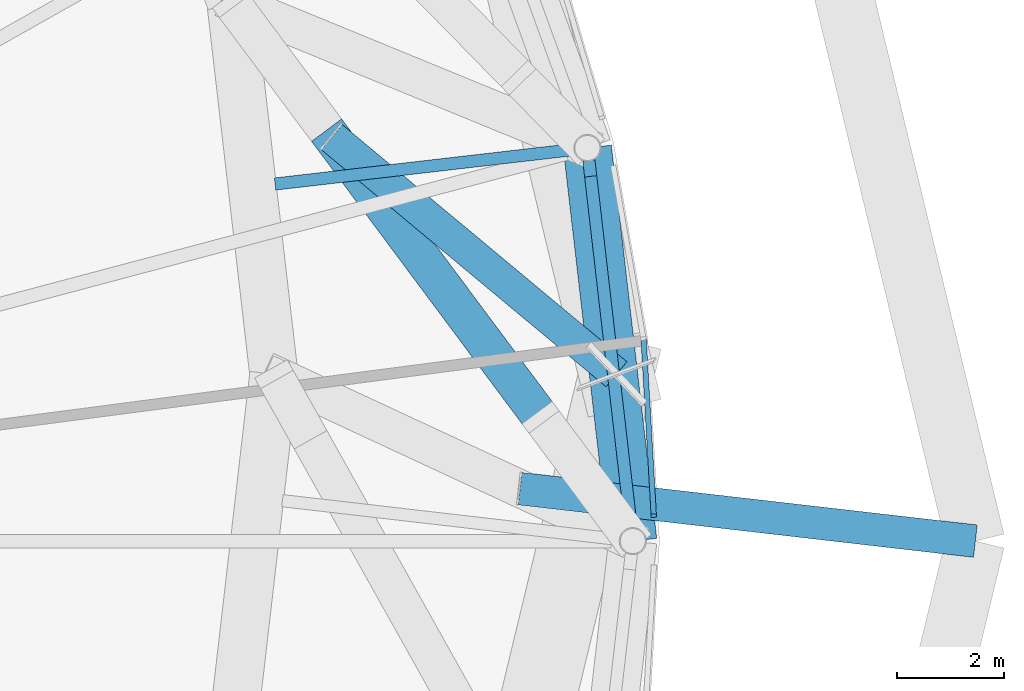
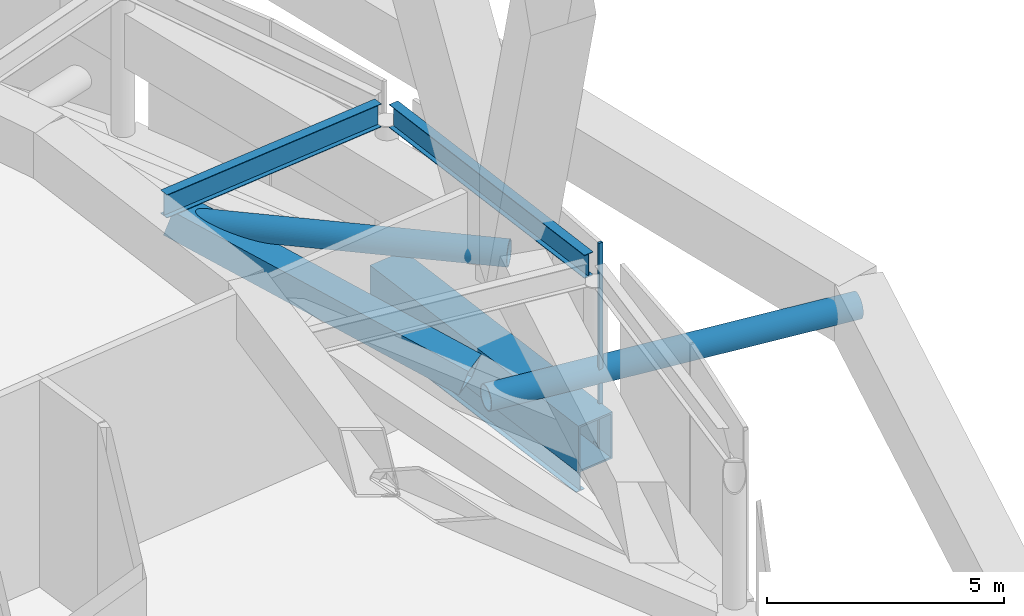
# One storey, part 36 of 60: 5 beams, 4 members, 1 element without a shape of its own.
"""IFC4 building model written with IfcOpenShell, lengths in metres."""

from ifc_helpers import new_model, si_unit, direction, frame, origin, origin_2d, place, context, subcontext, project, spatial, rectangle, hollow_rectangle, hollow_circle, i_section, extrude, material, layer, layer_set, material_profile, profile_set, type_object, element, aggregate, save


model = new_model("IFC4")

# Units and contexts
model_context = context("Model", 3, precision=1e-05, world=origin(), true_north=direction((0.0, 1.0)))
body_context = subcontext(model_context, "Body", "Model", "MODEL_VIEW")
ifc_project = project(units=[si_unit("LENGTHUNIT", "METRE"), si_unit("AREAUNIT", "SQUARE_METRE"), si_unit("VOLUMEUNIT", "CUBIC_METRE"), si_unit("PLANEANGLEUNIT", "RADIAN"), si_unit("MASSUNIT", "GRAM", prefix="KILO")], contexts=[model_context])

# Site, building, storey
site_placement = place(None, origin())
site = spatial("IfcSite", under=ifc_project, at=site_placement, CompositionType="ELEMENT")
building_placement = place(site_placement, origin())
building = spatial("IfcBuilding", under=site, at=building_placement, Name="Nagisa Residences", CompositionType="ELEMENT")
storey_placement = place(building_placement, frame((0.0, 0.0, 206.60009765625)))
storey = spatial("IfcBuildingStorey", under=building, at=storey_placement, Name="L52", CompositionType="ELEMENT", Elevation=206.60009765625)

# Beams
ifc_material_1 = material(Name="Steel ASTM A572 Gr 50", Category="steel")
ifc_material_profile_1 = material_profile(ifc_material_1, hollow_rectangle(XDim=0.89990234375, YDim=1.199951171875, WallThickness=0.044921875, at=origin_2d()), Name="BX 900x1200x45")
ifc_profile_set_1 = profile_set([ifc_material_profile_1], Name="Steel ASTM A572 Gr 50")
beam_type_1 = type_object("IfcBeamType", Name="Belt chord 4 BX 900x1200x45", PredefinedType="BEAM", material=ifc_profile_set_1)
beam_1_placement = place(storey_placement, frame((28.47509765625, 0.0, 0.599853515625), z_axis=(-0.114660458772, 0.993404740876, 0.0), x_axis=(-0.993404740876, -0.114660458772, 0.0)))
element("IfcBeam", 1, at=beam_1_placement, inside=storey, type_object=beam_type_1, Name="beam:L52:bt4b01", PredefinedType="BEAM", context=body_context, shape_type="SweptSolid", body=[
    extrude(hollow_rectangle(XDim=0.89990234375, YDim=1.199951171875, WallThickness=0.044921875, at=origin_2d()), origin(), (0.0, 0.0, 1.0), 7.392822265625),
])
ifc_material_2 = material(Name="Steel ASTM A572 Gr 50", Category="steel")
ifc_material_profile_2 = material_profile(ifc_material_2, hollow_rectangle(XDim=0.699951171875, YDim=0.699951171875, WallThickness=0.0400390625, at=origin_2d()), Name="BX 700x700x40")
ifc_profile_set_2 = profile_set([ifc_material_profile_2], Name="Steel ASTM A572 Gr 50")
beam_type_2 = type_object("IfcBeamType", Name="Belt diagonal 4 BX 700x700x40", PredefinedType="BEAM", material=ifc_profile_set_2)
beam_2_placement = place(storey_placement, frame((26.752197265625, 2.3125, 1.5498046875), z_axis=(-0.5674743533, 0.761622880543, 0.312895263914), x_axis=(-0.801887549953, -0.597474984606, 0.0)))
element("IfcBeam", 2, at=beam_2_placement, inside=storey, type_object=beam_type_2, Name="beam:L52:bt4db01", PredefinedType="BEAM", context=body_context, shape_type="SweptSolid", body=[
    extrude(hollow_rectangle(XDim=0.699951171875, YDim=0.699951171875, WallThickness=0.0400390625, at=origin_2d()), origin(), (0.0, 0.0, 1.0), 7.158935546875),
])

# Curtain wall, members
ifc_material_3 = material(Name="Aluminium curtain wall system", Category="aluminium")
ifc_layer = layer(ifc_material_3, 0.159912109375)
ifc_layer_set = layer_set([ifc_layer], Name="CW5 CURTAIN WALL")
curtain_wall_type = type_object("IfcCurtainWallType", Name="CW5 CURTAIN WALL", PredefinedType="NOTDEFINED", material=ifc_layer_set)
curtain_wall_placement = place(storey_placement, origin())
curtain_wall = element("IfcCurtainWall", 3, at=curtain_wall_placement, inside=storey, type_object=curtain_wall_type, Name="cw:CW5:L52:00", PredefinedType="NOTDEFINED")
ifc_material_4 = material(Name="Aluminium", Category="aluminium")
ifc_material_profile_3 = material_profile(ifc_material_4, rectangle(XDim=0.10009765625, YDim=0.06005859375, at=origin_2d()), Name="CW5 MULLION 100x60")
ifc_profile_set_3 = profile_set([ifc_material_profile_3], Name="Aluminium")
member_type_1 = type_object("IfcMemberType", Name="CW5 MULLION 100x60", PredefinedType="MULLION", material=ifc_profile_set_3)
member_1_placement = place(storey_placement, frame((28.867431640625, 0.474609375, 0.0), z_axis=(0.0, 0.0, 1.0), x_axis=(-0.998345305184, -0.057503492216, 0.0)))
member_1 = element("IfcMember", 4, at=member_1_placement, type_object=member_type_1, Name="CW5 mullion", PredefinedType="MULLION", context=body_context, shape_type="SweptSolid", body=[
    extrude(rectangle(XDim=0.10009765625, YDim=0.06005859375, at=origin_2d()), origin(), (0.0, 0.0, 1.0), 5.33984375),
])
ifc_material_5 = material(Name="Aluminium", Category="aluminium")
ifc_material_profile_4 = material_profile(ifc_material_5, rectangle(XDim=0.10009765625, YDim=0.1201171875, at=origin_2d()), Name="CW5 TRANSOM 100x120")
ifc_profile_set_4 = profile_set([ifc_material_profile_4], Name="Aluminium")
member_type_2 = type_object("IfcMemberType", Name="CW5 TRANSOM 100x120", PredefinedType="USERDEFINED", material=ifc_profile_set_4)
member_2_placement = place(storey_placement, frame((28.869140625, 0.444580078125, 0.059814453125), z_axis=(-0.057486772167, 0.998346268098, 0.0), x_axis=(-0.998346268098, -0.057486772167, 0.0)))
member_2 = element("IfcMember", 5, at=member_2_placement, type_object=member_type_2, Name="CW5 transom", ObjectType="TRANSOM", PredefinedType="USERDEFINED", context=body_context, shape_type="SweptSolid", body=[
    extrude(rectangle(XDim=0.10009765625, YDim=0.1201171875, at=origin_2d()), origin(), (0.0, 0.0, 1.0), 3.325439453125),
])
aggregate(curtain_wall, [member_1, member_2])

# Members
ifc_material_6 = material(Name="Steel ASTM A572 Gr 65", Category="steel")
ifc_material_profile_5 = material_profile(ifc_material_6, hollow_circle(Radius=0.304931640625, WallThickness=0.02490234375, at=origin_2d()), Name="CHS 610x25")
ifc_profile_set_5 = profile_set([ifc_material_profile_5], Name="Steel ASTM A572 Gr 65")
member_type_3 = type_object("IfcMemberType", Name="Cage strut CHS 610x25", PredefinedType="STRUT", material=ifc_profile_set_5)
member_3_placement = place(storey_placement, frame((34.875, 0.0, 1.89990234375), z_axis=(-0.993440619285, 0.11434918432, 0.0), x_axis=(-0.11434918432, -0.993440619285, 0.0)))
element("IfcMember", 6, at=member_3_placement, inside=storey, type_object=member_type_3, Name="mem:L52:bt4st4a01", PredefinedType="STRUT", context=body_context, shape_type="SweptSolid", body=[
    extrude(hollow_circle(Radius=0.304931640625, WallThickness=0.02490234375, at=origin_2d()), origin(), (0.0, 0.0, 1.0), 8.5615234375),
])
member_4_placement = place(storey_placement, frame((28.169921875, 3.11767578125, 3.699951171875), z_axis=(-0.768400558236, 0.639969204026, 0.0), x_axis=(-0.639969204026, -0.768400558236, 0.0)))
element("IfcMember", 7, at=member_4_placement, inside=storey, type_object=member_type_3, Name="mem:L52:bt4st5b01", PredefinedType="STRUT", context=body_context, shape_type="SweptSolid", body=[
    extrude(hollow_circle(Radius=0.304931640625, WallThickness=0.02490234375, at=origin_2d()), origin(), (0.0, 0.0, 1.0), 6.91943359375),
])

# Beams
ifc_material_7 = material(Name="Steel ASTM A572 Gr 50", Category="steel")
ifc_material_profile_6 = material_profile(ifc_material_7, i_section(OverallWidth=0.22802734375, OverallDepth=0.60302734375, WebThickness=0.010498046875, FlangeThickness=0.014892578125, at=origin_2d()), Name="W610x101")
ifc_profile_set_6 = profile_set([ifc_material_profile_6], Name="Steel ASTM A572 Gr 50")
beam_type_3 = type_object("IfcBeamType", Name="Garden edge beam W610x101", PredefinedType="BEAM", material=ifc_profile_set_6)
beam_3_placement = place(storey_placement, frame((28.4482421875, 0.232421875, 5.038330078125), z_axis=(-0.114652209728, 0.99340569296, 0.0), x_axis=(-0.99340569296, -0.114652209728, 0.0)))
element("IfcBeam", 8, at=beam_3_placement, inside=storey, type_object=beam_type_3, Name="beam:L52:bt4ge01", PredefinedType="BEAM", context=body_context, shape_type="SweptSolid", body=[
    extrude(i_section(OverallWidth=0.22802734375, OverallDepth=0.60302734375, WebThickness=0.010498046875, FlangeThickness=0.014892578125, at=origin_2d()), origin(), (0.0, 0.0, 1.0), 6.9248046875),
])
ifc_material_8 = material(Name="Steel ASTM A572 Gr 50", Category="steel")
ifc_material_profile_7 = material_profile(ifc_material_8, i_section(OverallWidth=0.22802734375, OverallDepth=0.60302734375, WebThickness=0.010498046875, FlangeThickness=0.014892578125, at=origin_2d()), Name="W610x101")
ifc_profile_set_7 = profile_set([ifc_material_profile_7], Name="Steel ASTM A572 Gr 50")
beam_type_4 = type_object("IfcBeamType", Name="Garden radial beam W610x101", PredefinedType="BEAM", material=ifc_profile_set_7)
beam_4_placement = place(storey_placement, frame((27.39501953125, 7.317138671875, 5.038330078125), z_axis=(-0.993407608623, -0.114635610216, 0.0), x_axis=(0.114635610216, -0.993407608623, 0.0)))
element("IfcBeam", 9, at=beam_4_placement, inside=storey, type_object=beam_type_4, Name="beam:L52:bt4gr02", PredefinedType="BEAM", context=body_context, shape_type="SweptSolid", body=[
    extrude(i_section(OverallWidth=0.22802734375, OverallDepth=0.60302734375, WebThickness=0.010498046875, FlangeThickness=0.014892578125, at=origin_2d()), origin(), (0.0, 0.0, 1.0), 5.639404296875),
])
ifc_material_9 = material(Name="Steel ASTM A572 Gr 50", Category="steel")
ifc_material_profile_8 = material_profile(ifc_material_9, i_section(OverallWidth=0.22802734375, OverallDepth=0.60302734375, WebThickness=0.010498046875, FlangeThickness=0.014892578125, at=origin_2d()), Name="W610x101")
ifc_profile_set_8 = profile_set([ifc_material_profile_8], Name="Steel ASTM A572 Gr 50")
beam_type_5 = type_object("IfcBeamType", Name="Perimeter ring beam W610x101", PredefinedType="BEAM", material=ifc_profile_set_8)
beam_5_placement = place(storey_placement, frame((28.413818359375, 0.530029296875, -0.651611328125), z_axis=(-0.11463289794, 0.993407921606, 0.0), x_axis=(-0.993407921606, -0.11463289794, 0.0)))
element("IfcBeam", 10, at=beam_5_placement, inside=storey, type_object=beam_type_5, Name="beam:L52:pb01", PredefinedType="BEAM", context=body_context, shape_type="SweptSolid", body=[
    extrude(i_section(OverallWidth=0.22802734375, OverallDepth=0.60302734375, WebThickness=0.010498046875, FlangeThickness=0.014892578125, at=origin_2d()), origin(), (0.0, 0.0, 1.0), 6.325439453125),
])

save(model, "model.ifc")
